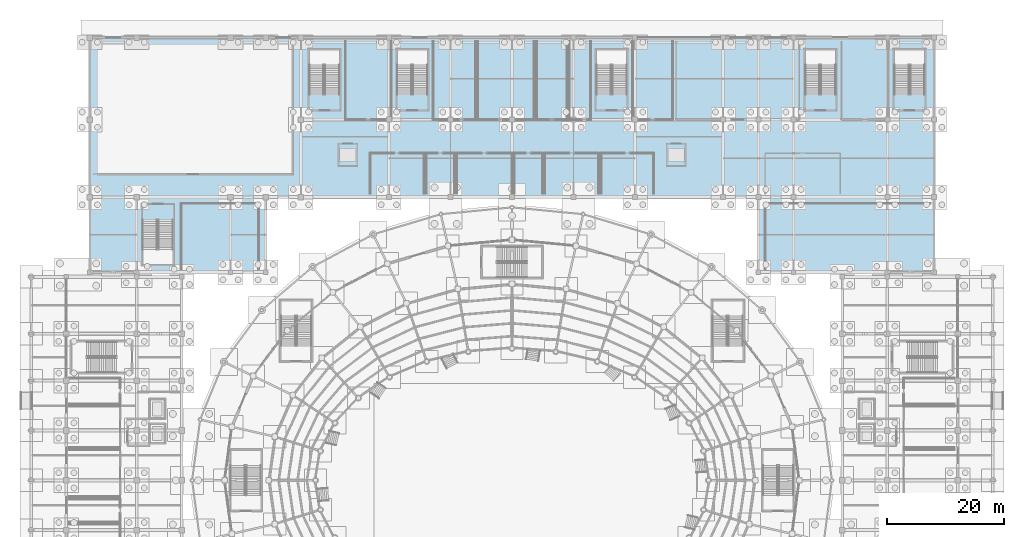
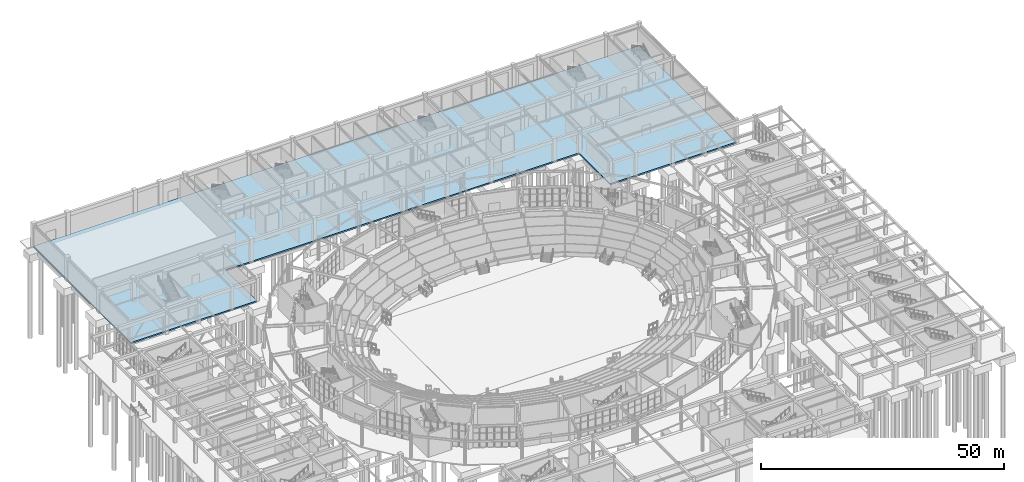
# One storey, part 73 of 121: 1 slab.
"""IFC4 building model written with IfcOpenShell, lengths in metres."""

import ifcopenshell
import ifcopenshell.guid

model = None  # the IFC model being written
_history = None  # IfcOwnerHistory: only IFC2X3 demands one
_inside = {}  # id of a spatial element -> (the spatial element, [elements in it])
_under = {}  # id of a project, library or spatial element -> (it, [spatial elements below it])
_declared = {}  # id of a project -> (the project, [libraries it declares])
_typed = {}  # id of a type object -> (the type object, [elements of that type])
_made_of = {}  # id of a material, layer set ... -> (it, [elements and type objects made of it])


def new_model(schema):
    """Start an empty IFC model of exactly this schema.

    Asked for "IFC4X3", IfcOpenShell would pick the latest addendum, in which some entities
    have other attributes; the version numbers below select the first issue.
    IFC2X3 requires an IfcOwnerHistory on every rooted entity: one is made here for all.
    """
    global model, _history
    if schema == "IFC4X3":
        model = ifcopenshell.file(schema_version=(4, 3, 0, 0))
    else:
        model = ifcopenshell.file(schema=schema)
    _inside.clear()
    _under.clear()
    _declared.clear()
    _typed.clear()
    _made_of.clear()
    _history = None
    if model.schema == "IFC2X3":
        org = make("IfcOrganization", Name="unknown")
        user = make(
            "IfcPersonAndOrganization",
            ThePerson=make("IfcPerson", FamilyName="unknown"),
            TheOrganization=org,
        )
        app = make(
            "IfcApplication",
            ApplicationDeveloper=org,
            Version="unknown",
            ApplicationFullName="unknown",
            ApplicationIdentifier="unknown",
        )
        _history = make(
            "IfcOwnerHistory",
            OwningUser=user,
            OwningApplication=app,
            ChangeAction="ADDED",
            CreationDate=0,
        )
    return model


def make(cls, **values):
    """One entity of the class cls with the attributes given. An attribute that is None is left unset."""
    return model.create_entity(
        cls, **{name: value for name, value in values.items() if value is not None}
    )


def rooted(cls, **values):
    """An entity with a GlobalId (a new one), such as an element, a storey or a relation."""
    return make(cls, GlobalId=ifcopenshell.guid.new(), OwnerHistory=_history, **values)


def si_unit(unit_type, name, prefix=None):
    """IfcSIUnit, for example si_unit("LENGTHUNIT", "METRE", prefix="MILLI")."""
    return make("IfcSIUnit", UnitType=unit_type, Prefix=prefix, Name=name)


def assignment(units):
    """IfcUnitAssignment: the units of a project."""
    return None if units is None else make("IfcUnitAssignment", Units=units)


def point(xyz):
    """IfcCartesianPoint."""
    return None if xyz is None else make("IfcCartesianPoint", Coordinates=xyz)


def direction(xyz):
    """IfcDirection."""
    return None if xyz is None else make("IfcDirection", DirectionRatios=xyz)


def frame(location, z_axis=None, x_axis=None):
    """IfcAxis2Placement3D, a coordinate frame: its origin and axes. An axis left out is left unset."""
    return make(
        "IfcAxis2Placement3D",
        Location=point(location),
        Axis=direction(z_axis),
        RefDirection=direction(x_axis),
    )


def origin():
    """The frame at (0, 0, 0) with its axes left unset."""
    return frame((0.0, 0.0, 0.0))


def place(relative_to, where):
    """IfcLocalPlacement: puts the frame where relative to a parent placement (None: the world)."""
    return make(
        "IfcLocalPlacement", PlacementRelTo=relative_to, RelativePlacement=where
    )


def context(
    kind, dimensions, precision=None, world=None, true_north=None, identifier=None
):
    """IfcGeometricRepresentationContext, for example the 3D "Model" context."""
    return make(
        "IfcGeometricRepresentationContext",
        ContextIdentifier=identifier,
        ContextType=kind,
        CoordinateSpaceDimension=dimensions,
        Precision=precision,
        WorldCoordinateSystem=world,
        TrueNorth=true_north,
    )


def subcontext(parent, identifier, kind, view, scale=None):
    """IfcGeometricRepresentationSubContext, for example "Body" below "Model"."""
    return make(
        "IfcGeometricRepresentationSubContext",
        ContextIdentifier=identifier,
        ContextType=kind,
        ParentContext=parent,
        TargetScale=scale,
        TargetView=view,
    )


def project(units=None, contexts=None):
    """IfcProject with its units and contexts."""
    return rooted(
        "IfcProject",
        Name="project",
        RepresentationContexts=contexts,
        UnitsInContext=assignment(units),
    )


def spatial(cls, under=None, at=None, **own):
    """A site, building, storey or space (cls), placed at a placement, below another one or the project."""
    s = rooted(cls, ObjectPlacement=at, **own)
    if under is not None:
        _under.setdefault(under.id(), (under, []))[1].append(s)
    return s


def polyline(points):
    """IfcPolyline through the points."""
    return make("IfcPolyline", Points=[point(p) for p in points])


def outline(outer, holes=None, kind="AREA"):
    """IfcArbitraryClosedProfileDef: a profile drawn as a closed curve; with holes, ...WithVoids."""
    if holes is None:
        return make("IfcArbitraryClosedProfileDef", ProfileType=kind, OuterCurve=outer)
    return make(
        "IfcArbitraryProfileDefWithVoids",
        ProfileType=kind,
        OuterCurve=outer,
        InnerCurves=holes,
    )


def extrude(swept, where, along, depth):
    """IfcExtrudedAreaSolid: the profile swept, set in the frame where, extruded along a direction by depth."""
    return make(
        "IfcExtrudedAreaSolid",
        SweptArea=swept,
        Position=where,
        ExtrudedDirection=direction(along),
        Depth=depth,
    )


def shape(context_of_items, identifier, shape_type, items):
    """IfcShapeRepresentation: the items that make up one representation, for example the "Body"."""
    return make(
        "IfcShapeRepresentation",
        ContextOfItems=context_of_items,
        RepresentationIdentifier=identifier,
        RepresentationType=shape_type,
        Items=items,
    )


def material(Name=None, Category=None):
    """IfcMaterial."""
    return make("IfcMaterial", Name=Name, Category=Category)


def layer(
    of_material, thickness, ventilated=None, Name=None, Category=None, Priority=None
):
    """IfcMaterialLayer: one layer of a wall or slab, of a material (None: an air gap)."""
    return make(
        "IfcMaterialLayer",
        Material=of_material,
        LayerThickness=thickness,
        IsVentilated=ventilated,
        Name=Name,
        Category=Category,
        Priority=Priority,
    )


def layer_set(layers, Name=None):
    """IfcMaterialLayerSet."""
    return make("IfcMaterialLayerSet", MaterialLayers=layers, LayerSetName=Name)


def made_of(thing, what):
    """Note that an element or type object is made of a material, layer set ...; save() writes the relation."""
    if what is not None:
        _made_of.setdefault(what.id(), (what, []))[1].append(thing)
    return thing


def type_object(cls, material=None, **own):
    """A type object (cls), such as IfcWallType, which elements share."""
    return made_of(rooted(cls, **own), material)


def element(
    cls,
    number,
    at=None,
    inside=None,
    cuts=None,
    type_object=None,
    material=None,
    context=None,
    identifier="Body",
    shape_type=None,
    held_by="IfcProductDefinitionShape",
    body=None,
    shapes=None,
    **own,
):
    """One element of the class cls, such as IfcWall. Its Tag is "e" and its number.

    at: its placement. inside: the storey or other place that contains it. cuts: it is an
    opening in that element (IfcRelVoidsElement). A single representation is given by context,
    identifier, shape_type and body (its items); several are given by shapes. held_by: the class
    of the entity that holds the representations. save() writes the other relations.
    """
    e = rooted(cls, Tag="e%d" % number, ObjectPlacement=at, **own)
    if body is not None:
        shapes = [shape(context, identifier, shape_type, body)]
    if shapes is not None:
        e.Representation = make(held_by, Representations=shapes)
    if inside is not None:
        _inside.setdefault(inside.id(), (inside, []))[1].append(e)
    if cuts is not None:
        rooted(
            "IfcRelVoidsElement", RelatingBuildingElement=cuts, RelatedOpeningElement=e
        )
    if type_object is not None:
        _typed.setdefault(type_object.id(), (type_object, []))[1].append(e)
    return made_of(e, material)


def aggregate(whole, parts):
    """IfcRelAggregates: a whole, such as a stair, and the parts it consists of."""
    return rooted("IfcRelAggregates", RelatingObject=whole, RelatedObjects=parts)


def save(model, path):
    """Write the relations noted so far, then the file.

    IfcRelAggregates (storeys below a building ...), IfcRelContainedInSpatialStructure (elements
    in a storey), IfcRelDefinesByType, IfcRelAssociatesMaterial and IfcRelDeclares: one each for
    every whole, place, type object, material and project.
    """
    for whole, parts in _under.values():
        aggregate(whole, parts)
    for where, things in _inside.values():
        rooted(
            "IfcRelContainedInSpatialStructure",
            RelatedElements=things,
            RelatingStructure=where,
        )
    for kind, things in _typed.values():
        rooted("IfcRelDefinesByType", RelatedObjects=things, RelatingType=kind)
    for what, things in _made_of.values():
        rooted("IfcRelAssociatesMaterial", RelatedObjects=things, RelatingMaterial=what)
    for by, libraries in _declared.values():
        rooted("IfcRelDeclares", RelatingContext=by, RelatedDefinitions=libraries)
    model.write(path)


model = new_model("IFC4")

# Units and contexts
model_context = context("Model", 3, precision=1e-05, world=origin(), true_north=direction((0.0, 1.0)))
body_context = subcontext(model_context, "Body", "Model", "MODEL_VIEW")
ifc_project = project(units=[si_unit("LENGTHUNIT", "METRE"), si_unit("AREAUNIT", "SQUARE_METRE"), si_unit("VOLUMEUNIT", "CUBIC_METRE"), si_unit("PLANEANGLEUNIT", "RADIAN"), si_unit("MASSUNIT", "GRAM", prefix="KILO")], contexts=[model_context])

# Site, building, storey
site_placement = place(None, origin())
site = spatial("IfcSite", under=ifc_project, at=site_placement, CompositionType="ELEMENT")
building_placement = place(site_placement, origin())
building = spatial("IfcBuilding", under=site, at=building_placement, Name="Cuetzalor Civic Arena", CompositionType="ELEMENT")
storey_placement = place(building_placement, origin())
storey = spatial("IfcBuildingStorey", under=building, at=storey_placement, Name="L00", CompositionType="ELEMENT", Elevation=0.0)

# Slab
ifc_material = material(Name="Concrete C35/45", Category="concrete")
ifc_layer = layer(ifc_material, 0.35009765625)
ifc_layer_set = layer_set([ifc_layer], Name="Concrete C35/45")
slab_type = type_object("IfcSlabType", Name="GroundBaseSlab_350", PredefinedType="BASESLAB", material=ifc_layer_set)
slab_placement = place(storey_placement, frame((0.0, 0.0, -0.35009765625)))
element("IfcSlab", 1, at=slab_placement, inside=storey, type_object=slab_type, Name="North Back-of-House and Practice Court Base Slab", PredefinedType="BASESLAB", context=body_context, shape_type="SweptSolid", body=[
    extrude(outline(polyline([(-72.0, 35.5), (-42.0, 35.5), (-42.0, 48.300048828125), (42.0, 48.300048828125), (42.0, 35.5), (72.0, 35.5), (72.0, 75.5), (-72.0, 75.5), (-72.0, 35.5)])), origin(), (0.0, 0.0, 1.0), 0.35009765625),
])

save(model, "model.ifc")
